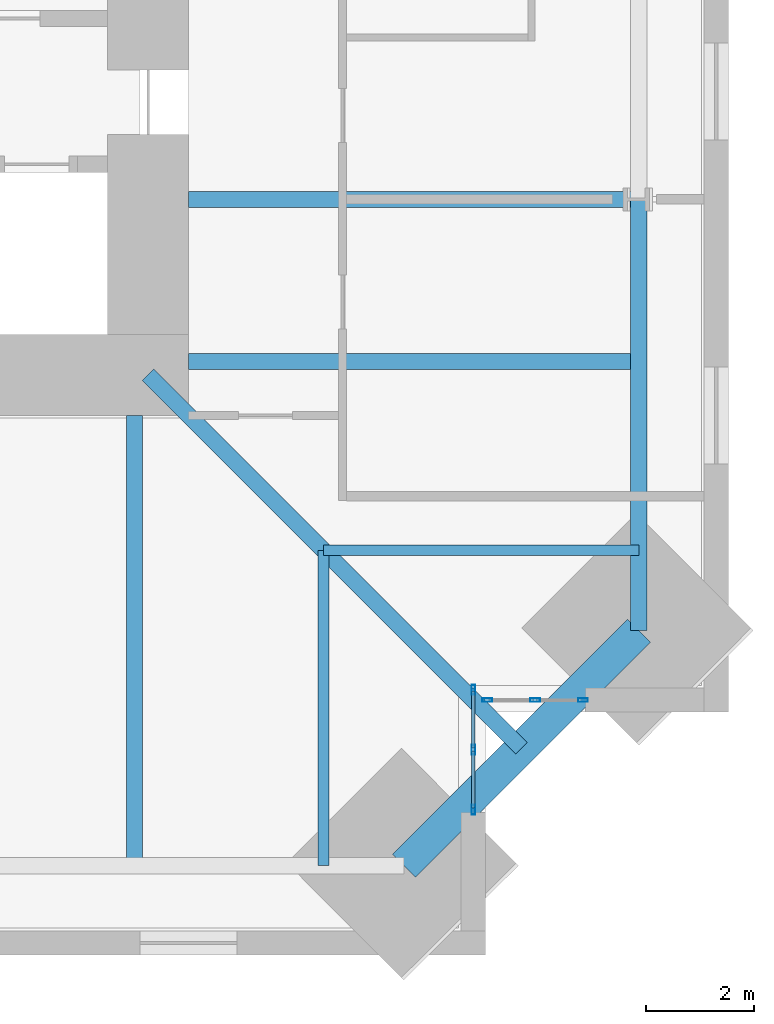
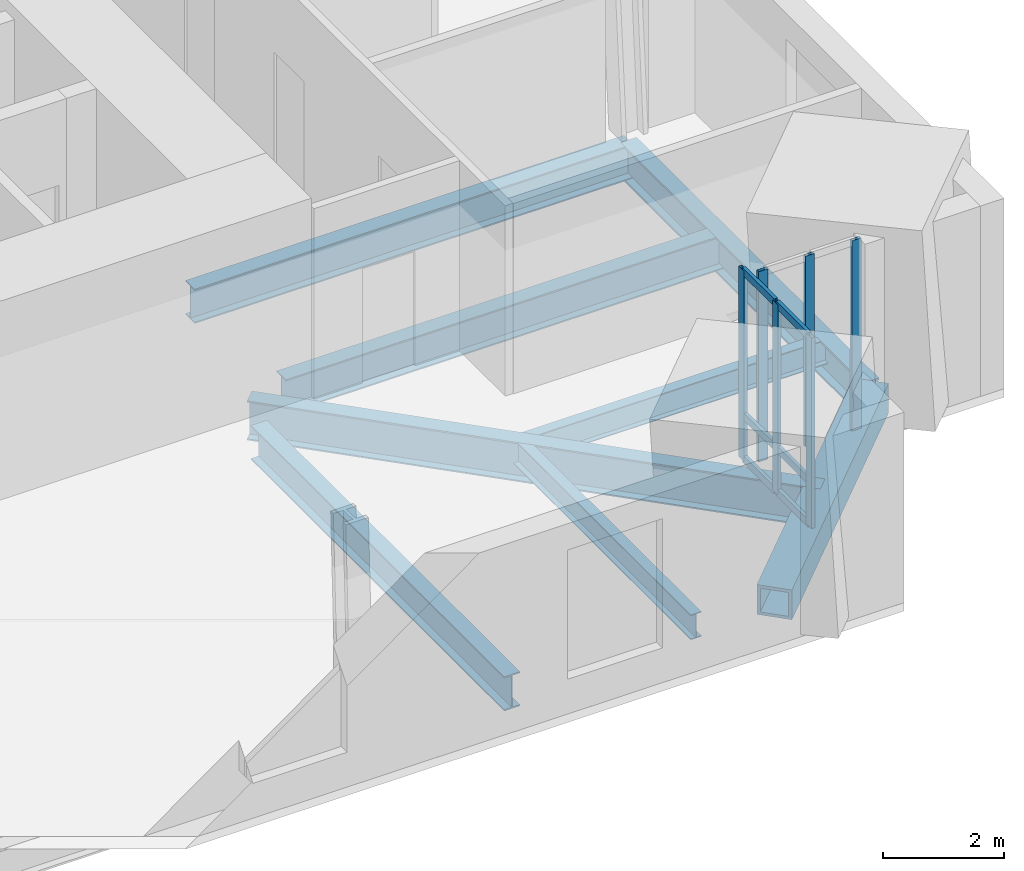
# One storey, part 4 of 16: 12 members, 8 beams, 2 elements without a shape of their own.
"""IFC4 building model written with IfcOpenShell, lengths in metres."""

from ifc_helpers import new_model, si_unit, direction, frame, origin, origin_2d, place, context, subcontext, project, spatial, hollow_rectangle, i_section, extrude, material, material_profile, profile_set, type_object, element, aggregate, save


model = new_model("IFC4")

# Units and contexts
model_context = context("Model", 3, precision=1e-05, world=origin(), true_north=direction((0.0, 1.0)))
body_context = subcontext(model_context, "Body", "Model", "MODEL_VIEW")
ifc_project = project(units=[si_unit("LENGTHUNIT", "METRE"), si_unit("AREAUNIT", "SQUARE_METRE"), si_unit("VOLUMEUNIT", "CUBIC_METRE"), si_unit("PLANEANGLEUNIT", "RADIAN"), si_unit("MASSUNIT", "GRAM", prefix="KILO")], contexts=[model_context])

# Site, building, storey
site_placement = place(None, origin())
site = spatial("IfcSite", under=ifc_project, at=site_placement, CompositionType="ELEMENT")
building_placement = place(site_placement, origin())
building = spatial("IfcBuilding", under=site, at=building_placement, Name="Peilmerk Tower", CompositionType="ELEMENT")
storey_placement = place(building_placement, frame((0.0, 0.0, 261.800048828125)))
storey = spatial("IfcBuildingStorey", under=building, at=storey_placement, Name="L58", CompositionType="ELEMENT", Elevation=261.800048828125)

# Beams
ifc_material_1 = material(Name="Steel S355", Category="steel")
ifc_material_profile_1 = material_profile(ifc_material_1, i_section(OverallWidth=0.300048828125, OverallDepth=0.68994140625, WebThickness=0.014404296875, FlangeThickness=0.027099609375, at=origin_2d()), Name="HEA 700")
ifc_profile_set_1 = profile_set([ifc_material_profile_1], Name="Steel S355")
beam_type_1 = type_object("IfcBeamType", Name="B16 HEA 700 floor beam", PredefinedType="BEAM", material=ifc_profile_set_1)
for number, where, z_axis, x_axis, name in (
    (1, (12.0, -11.0, -0.51513671875), (1.0, 0.0, 0.0), (0.0, 1.0, 0.0), "Floor beam L58"),
    (2, (12.0, -8.0, -0.51513671875), (1.0, 0.0, 0.0), (0.0, 1.0, 0.0), "Floor beam L58"),
    (3, (11.0, -12.0, -0.51513671875), (0.0, -1.0, 0.0), (1.0, 0.0, 0.0), "Floor beam L58"),
):
    element("IfcBeam", number, at=place(storey_placement, frame(where, z_axis=z_axis, x_axis=x_axis)), inside=storey, type_object=beam_type_1, Name=name, PredefinedType="BEAM", context=body_context, shape_type="SweptSolid", body=[
        extrude(i_section(OverallWidth=0.300048828125, OverallDepth=0.68994140625, WebThickness=0.014404296875, FlangeThickness=0.027099609375, at=origin_2d()), origin(), (0.0, 0.0, 1.0), 8.34033203125),
    ])
ifc_material_2 = material(Name="Steel S460", Category="steel")
ifc_material_profile_2 = material_profile(ifc_material_2, hollow_rectangle(XDim=0.60009765625, YDim=0.60009765625, WallThickness=0.06005859375, at=origin_2d()), Name="BOX 600x600x60")
ifc_profile_set_2 = profile_set([ifc_material_profile_2], Name="Steel S460")
beam_type_2 = type_object("IfcBeamType", Name="B20 BOX 600x600x60 notch beam", PredefinedType="SPANDREL", material=ifc_profile_set_2)
beam_1_placement = place(storey_placement, frame((20.34033203125, -15.990234375, -0.469970703125), z_axis=(-0.707106781187, -0.707106781187, 0.0), x_axis=(0.707106781187, -0.707106781187, 0.0)))
element("IfcBeam", 4, at=beam_1_placement, inside=storey, type_object=beam_type_2, Name="Notch beam L58", PredefinedType="SPANDREL", context=body_context, shape_type="SweptSolid", body=[
    extrude(hollow_rectangle(XDim=0.60009765625, YDim=0.60009765625, WallThickness=0.06005859375, at=origin_2d()), origin(), (0.0, 0.0, 1.0), 6.15185546875),
])
ifc_material_profile_3 = material_profile(ifc_material_1, i_section(OverallWidth=0.300048828125, OverallDepth=0.7900390625, WebThickness=0.014892578125, FlangeThickness=0.028076171875, at=origin_2d()), Name="HEA 800")
ifc_profile_set_3 = profile_set([ifc_material_profile_3], Name="Steel S355")
beam_type_3 = type_object("IfcBeamType", Name="B3 HEA 800 floor beam", PredefinedType="BEAM", material=ifc_profile_set_3)
beam_2_placement = place(storey_placement, frame((11.25, -11.25, -0.56494140625), z_axis=(0.707106781187, -0.707106781187, 0.0), x_axis=(0.707106781187, 0.707106781187, 0.0)))
element("IfcBeam", 5, at=beam_2_placement, inside=storey, type_object=beam_type_3, Name="Corner girder L58", PredefinedType="BEAM", context=body_context, shape_type="SweptSolid", body=[
    extrude(i_section(OverallWidth=0.300048828125, OverallDepth=0.7900390625, WebThickness=0.014892578125, FlangeThickness=0.028076171875, at=origin_2d()), origin(), (0.0, 0.0, 1.0), 9.77978515625),
])
ifc_material_profile_4 = material_profile(ifc_material_1, i_section(OverallWidth=0.303955078125, OverallDepth=0.716064453125, WebThickness=0.02099609375, FlangeThickness=0.0400390625, at=origin_2d()), Name="HEM 700")
ifc_profile_set_4 = profile_set([ifc_material_profile_4], Name="Steel S355")
beam_type_4 = type_object("IfcBeamType", Name="B30 HEM 700 edge beam", PredefinedType="SPANDREL", material=ifc_profile_set_4)
beam_3_placement = place(storey_placement, frame((20.34033203125, -15.990234375, -0.528076171875), z_axis=(0.0, 1.0, 0.0), x_axis=(-1.0, 0.0, 0.0)))
element("IfcBeam", 6, at=beam_3_placement, inside=storey, type_object=beam_type_4, Name="Edge beam L58", PredefinedType="SPANDREL", context=body_context, shape_type="SweptSolid", body=[
    extrude(i_section(OverallWidth=0.303955078125, OverallDepth=0.716064453125, WebThickness=0.02099609375, FlangeThickness=0.0400390625, at=origin_2d()), origin(), (0.0, 0.0, 1.0), 7.990234375),
])
ifc_material_profile_5 = material_profile(ifc_material_1, i_section(OverallWidth=0.199951171875, OverallDepth=0.5, WebThickness=0.01025390625, FlangeThickness=0.01611328125, at=origin_2d()), Name="IPE 500")
ifc_profile_set_5 = profile_set([ifc_material_profile_5], Name="Steel S355")
beam_type_5 = type_object("IfcBeamType", Name="B32 IPE 500 floor beam", PredefinedType="BEAM", material=ifc_profile_set_5)
for number, where, z_axis, x_axis, name in (
    (7, (14.5, -14.5, -0.420166015625), (0.0, -1.0, 0.0), (1.0, 0.0, 0.0), "Floor beam L58"),
    (8, (14.5, -14.5, -0.420166015625), (1.0, 0.0, 0.0), (0.0, 1.0, 0.0), "Floor beam L58"),
):
    element("IfcBeam", number, at=place(storey_placement, frame(where, z_axis=z_axis, x_axis=x_axis)), inside=storey, type_object=beam_type_5, Name=name, PredefinedType="BEAM", context=body_context, shape_type="SweptSolid", body=[
        extrude(i_section(OverallWidth=0.199951171875, OverallDepth=0.5, WebThickness=0.01025390625, FlangeThickness=0.01611328125, at=origin_2d()), origin(), (0.0, 0.0, 1.0), 5.84033203125),
    ])

# Curtain wall, members
ifc_material_3 = material(Name="Aluminium stick curtain wall", Category="aluminium")
curtain_wall_type = type_object("IfcCurtainWallType", Name="CW4 stick curtain wall, 2250 module", PredefinedType="NOTDEFINED", material=ifc_material_3)
curtain_wall_1_placement = place(storey_placement, origin())
curtain_wall_1 = element("IfcCurtainWall", 9, at=curtain_wall_1_placement, inside=storey, type_object=curtain_wall_type, Name="Curtain wall CW4 SEA L58", PredefinedType="NOTDEFINED")
ifc_material_4 = material(Name="Aluminium EN AW-6063 T6", Category="aluminium")
ifc_material_profile_6 = material_profile(ifc_material_4, hollow_rectangle(XDim=0.06494140625, YDim=0.179931640625, WallThickness=0.0029296875, at=origin_2d()), Name="AL 180x65x3")
ifc_profile_set_6 = profile_set([ifc_material_profile_6], Name="Aluminium EN AW-6063 T6")
member_type_1 = type_object("IfcMemberType", Name="CW4-M AL 180x65x3 mullion", PredefinedType="MULLION", material=ifc_profile_set_6)
member_1_placement = place(storey_placement, frame((17.27490234375, -17.08251953125, 0.0), z_axis=(0.0, 0.0, 1.0), x_axis=(1.0, 0.0, 0.0)))
member_1 = element("IfcMember", 10, at=member_1_placement, type_object=member_type_1, Name="CW4 mullion 1", PredefinedType="MULLION", context=body_context, shape_type="SweptSolid", body=[
    extrude(hollow_rectangle(XDim=0.06494140625, YDim=0.179931640625, WallThickness=0.0029296875, at=origin_2d()), origin(), (0.0, 0.0, 1.0), 3.829833984375),
])
member_2_placement = place(storey_placement, frame((17.27490234375, -18.1943359375, 0.0), z_axis=(0.0, 0.0, 1.0), x_axis=(1.0, 0.0, 0.0)))
member_2 = element("IfcMember", 11, at=member_2_placement, type_object=member_type_1, Name="CW4 mullion 2", PredefinedType="MULLION", context=body_context, shape_type="SweptSolid", body=[
    extrude(hollow_rectangle(XDim=0.06494140625, YDim=0.179931640625, WallThickness=0.0029296875, at=origin_2d()), origin(), (0.0, 0.0, 1.0), 3.829833984375),
])
member_3_placement = place(storey_placement, frame((17.27490234375, -19.30615234375, 0.0), z_axis=(0.0, 0.0, 1.0), x_axis=(1.0, 0.0, 0.0)))
member_3 = element("IfcMember", 12, at=member_3_placement, type_object=member_type_1, Name="CW4 mullion 3", PredefinedType="MULLION", context=body_context, shape_type="SweptSolid", body=[
    extrude(hollow_rectangle(XDim=0.06494140625, YDim=0.179931640625, WallThickness=0.0029296875, at=origin_2d()), origin(), (0.0, 0.0, 1.0), 3.829833984375),
])

curtain_wall_2_placement = place(storey_placement, origin())
curtain_wall_2 = element("IfcCurtainWall", 13, at=curtain_wall_2_placement, inside=storey, type_object=curtain_wall_type, Name="Curtain wall CW4 SEB L58", PredefinedType="NOTDEFINED")
member_4_placement = place(storey_placement, frame((17.532470703125, -17.27490234375, 0.0), z_axis=(0.0, 0.0, 1.0), x_axis=(0.0, 1.0, 0.0)))
member_4 = element("IfcMember", 14, at=member_4_placement, type_object=member_type_1, Name="CW4 mullion 1", PredefinedType="MULLION", context=body_context, shape_type="SweptSolid", body=[
    extrude(hollow_rectangle(XDim=0.06494140625, YDim=0.179931640625, WallThickness=0.0029296875, at=origin_2d()), origin(), (0.0, 0.0, 1.0), 3.829833984375),
])
member_5_placement = place(storey_placement, frame((18.41943359375, -17.27490234375, 0.0), z_axis=(0.0, 0.0, 1.0), x_axis=(0.0, 1.0, 0.0)))
member_5 = element("IfcMember", 15, at=member_5_placement, type_object=member_type_1, Name="CW4 mullion 2", PredefinedType="MULLION", context=body_context, shape_type="SweptSolid", body=[
    extrude(hollow_rectangle(XDim=0.06494140625, YDim=0.179931640625, WallThickness=0.0029296875, at=origin_2d()), origin(), (0.0, 0.0, 1.0), 3.829833984375),
])
member_6_placement = place(storey_placement, frame((19.30615234375, -17.27490234375, 0.0), z_axis=(0.0, 0.0, 1.0), x_axis=(0.0, 1.0, 0.0)))
member_6 = element("IfcMember", 16, at=member_6_placement, type_object=member_type_1, Name="CW4 mullion 3", PredefinedType="MULLION", context=body_context, shape_type="SweptSolid", body=[
    extrude(hollow_rectangle(XDim=0.06494140625, YDim=0.179931640625, WallThickness=0.0029296875, at=origin_2d()), origin(), (0.0, 0.0, 1.0), 3.829833984375),
])
aggregate(curtain_wall_2, [member_4, member_5, member_6])

# Member
ifc_material_profile_7 = material_profile(ifc_material_4, hollow_rectangle(XDim=0.06494140625, YDim=0.14990234375, WallThickness=0.0029296875, at=origin_2d()), Name="AL 150x65x3")
ifc_profile_set_7 = profile_set([ifc_material_profile_7], Name="Aluminium EN AW-6063 T6")
member_type_2 = type_object("IfcMemberType", Name="CW4-T AL 150x65x3 transom", PredefinedType="USERDEFINED", material=ifc_profile_set_7)
member_7_placement = place(storey_placement, frame((17.27490234375, -17.114990234375, 0.032470703125), z_axis=(0.0, -1.0, 0.0), x_axis=(1.0, 0.0, 0.0)))
member_7 = element("IfcMember", 17, at=member_7_placement, type_object=member_type_2, Name="CW4 transom 1.1", ObjectType="TRANSOM", PredefinedType="USERDEFINED", context=body_context, shape_type="SweptSolid", body=[
    extrude(hollow_rectangle(XDim=0.06494140625, YDim=0.14990234375, WallThickness=0.0029296875, at=origin_2d()), origin(), (0.0, 0.0, 1.0), 1.046875),
])

member_8_placement = place(storey_placement, frame((17.27490234375, -17.114990234375, 0.89990234375), z_axis=(0.0, -1.0, 0.0), x_axis=(1.0, 0.0, 0.0)))
member_8 = element("IfcMember", 18, at=member_8_placement, type_object=member_type_2, Name="CW4 transom 1.2", ObjectType="TRANSOM", PredefinedType="USERDEFINED", context=body_context, shape_type="SweptSolid", body=[
    extrude(hollow_rectangle(XDim=0.06494140625, YDim=0.14990234375, WallThickness=0.0029296875, at=origin_2d()), origin(), (0.0, 0.0, 1.0), 1.046875),
])

member_9_placement = place(storey_placement, frame((17.27490234375, -17.114990234375, 3.79736328125), z_axis=(0.0, -1.0, 0.0), x_axis=(1.0, 0.0, 0.0)))
member_9 = element("IfcMember", 19, at=member_9_placement, type_object=member_type_2, Name="CW4 transom 1.3", ObjectType="TRANSOM", PredefinedType="USERDEFINED", context=body_context, shape_type="SweptSolid", body=[
    extrude(hollow_rectangle(XDim=0.06494140625, YDim=0.14990234375, WallThickness=0.0029296875, at=origin_2d()), origin(), (0.0, 0.0, 1.0), 1.046875),
])

member_10_placement = place(storey_placement, frame((17.27490234375, -18.226806640625, 0.032470703125), z_axis=(0.0, -1.0, 0.0), x_axis=(1.0, 0.0, 0.0)))
member_10 = element("IfcMember", 20, at=member_10_placement, type_object=member_type_2, Name="CW4 transom 2.1", ObjectType="TRANSOM", PredefinedType="USERDEFINED", context=body_context, shape_type="SweptSolid", body=[
    extrude(hollow_rectangle(XDim=0.06494140625, YDim=0.14990234375, WallThickness=0.0029296875, at=origin_2d()), origin(), (0.0, 0.0, 1.0), 1.046875),
])

member_11_placement = place(storey_placement, frame((17.27490234375, -18.226806640625, 0.89990234375), z_axis=(0.0, -1.0, 0.0), x_axis=(1.0, 0.0, 0.0)))
member_11 = element("IfcMember", 21, at=member_11_placement, type_object=member_type_2, Name="CW4 transom 2.2", ObjectType="TRANSOM", PredefinedType="USERDEFINED", context=body_context, shape_type="SweptSolid", body=[
    extrude(hollow_rectangle(XDim=0.06494140625, YDim=0.14990234375, WallThickness=0.0029296875, at=origin_2d()), origin(), (0.0, 0.0, 1.0), 1.046875),
])

member_12_placement = place(storey_placement, frame((17.27490234375, -18.226806640625, 3.79736328125), z_axis=(0.0, -1.0, 0.0), x_axis=(1.0, 0.0, 0.0)))
member_12 = element("IfcMember", 22, at=member_12_placement, type_object=member_type_2, Name="CW4 transom 2.3", ObjectType="TRANSOM", PredefinedType="USERDEFINED", context=body_context, shape_type="SweptSolid", body=[
    extrude(hollow_rectangle(XDim=0.06494140625, YDim=0.14990234375, WallThickness=0.0029296875, at=origin_2d()), origin(), (0.0, 0.0, 1.0), 1.046875),
])

aggregate(curtain_wall_1, [member_1, member_2, member_3, member_7, member_8, member_9, member_10, member_11, member_12])

save(model, "model.ifc")
